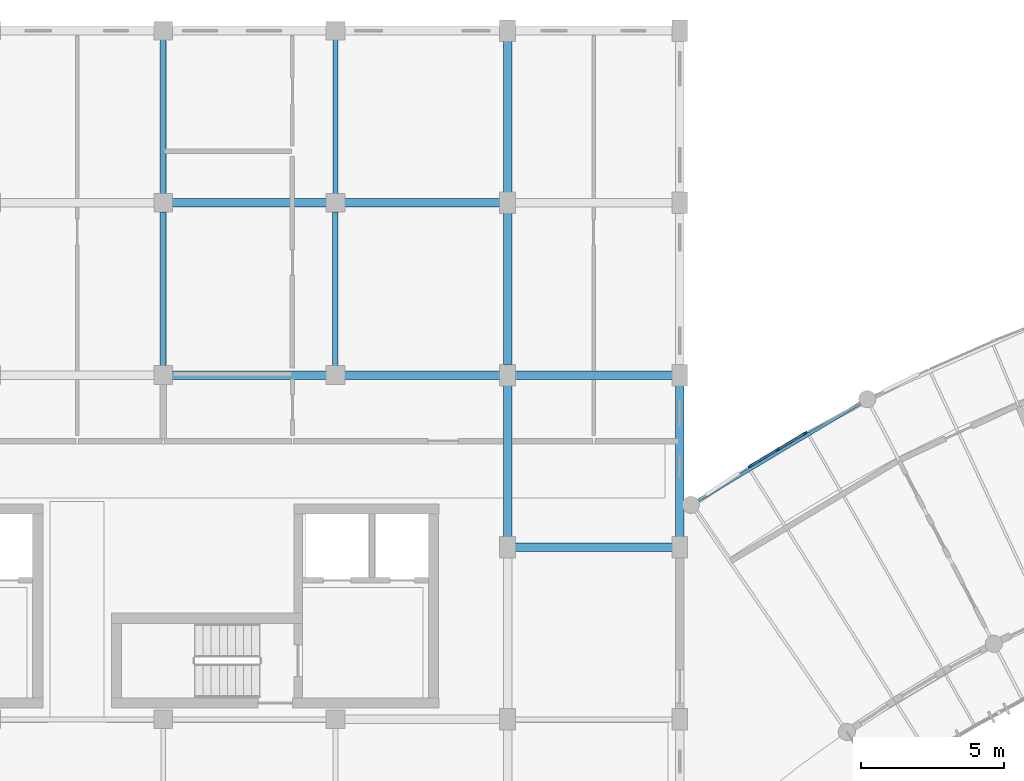
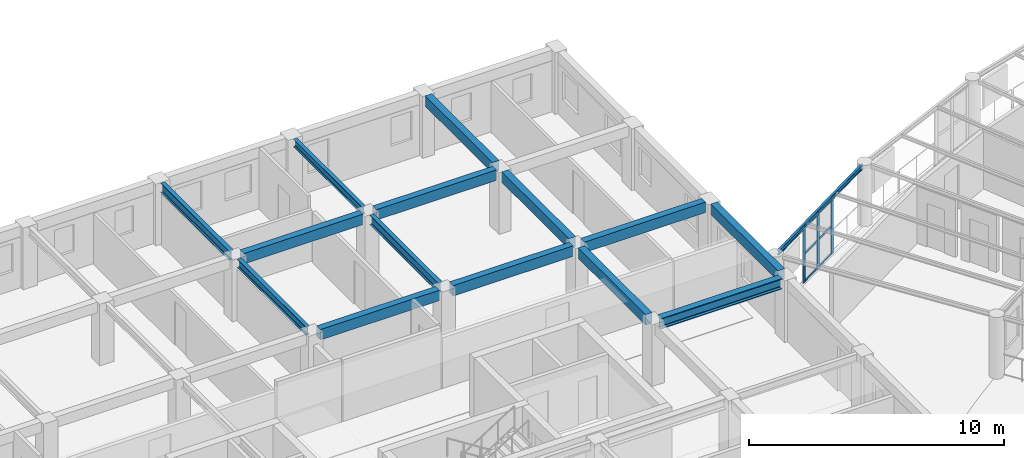
# One storey, part 31 of 100: 15 beams, 9 members, 1 element without a shape of its own.
"""IFC4 building model written with IfcOpenShell, lengths in metres."""

from ifc_helpers import new_model, si_unit, direction, frame, origin, origin_2d, place, context, subcontext, project, spatial, rectangle, i_section, extrude, material, layer, layer_set, material_profile, profile_set, type_object, element, aggregate, save


model = new_model("IFC4")

# Units and contexts
model_context = context("Model", 3, precision=1e-05, world=origin(), true_north=direction((0.0, 1.0)))
body_context = subcontext(model_context, "Body", "Model", "MODEL_VIEW")
ifc_project = project(units=[si_unit("LENGTHUNIT", "METRE"), si_unit("AREAUNIT", "SQUARE_METRE"), si_unit("VOLUMEUNIT", "CUBIC_METRE"), si_unit("PLANEANGLEUNIT", "RADIAN"), si_unit("MASSUNIT", "GRAM", prefix="KILO"), si_unit("POWERUNIT", "WATT"), si_unit("THERMODYNAMICTEMPERATUREUNIT", "KELVIN")], contexts=[model_context])

# Site, building, storey
site_placement = place(None, origin())
site = spatial("IfcSite", under=ifc_project, at=site_placement, CompositionType="ELEMENT")
building_placement = place(site_placement, origin())
building = spatial("IfcBuilding", under=site, at=building_placement, Name="Ruvembo Vaulted Housing Court", CompositionType="ELEMENT")
storey_placement = place(building_placement, frame((0.0, 0.0, 14.10009765625)))
storey = spatial("IfcBuildingStorey", under=building, at=storey_placement, Name="L04", CompositionType="ELEMENT", Elevation=14.10009765625)

# Beams
ifc_material_1 = material(Name="Steel S355J2", Category="steel")
ifc_material_profile_1 = material_profile(ifc_material_1, i_section(OverallWidth=0.300048828125, OverallDepth=0.5, WebThickness=0.014404296875, FlangeThickness=0.028076171875, FilletRadius=0.027099609375, at=origin_2d()), Name="HEB 320")
ifc_profile_set_1 = profile_set([ifc_material_profile_1], Name="Steel S355J2")
beam_type_1 = type_object("IfcBeamType", Name="BM-ST-HEB320", PredefinedType="BEAM", material=ifc_profile_set_1)
beam_1_placement = place(storey_placement, frame((78.260009765625, 96.0, 2.67578125), z_axis=(1.0, 0.0, 0.0), x_axis=(0.0, 1.0, 0.0)))
element("IfcBeam", 1, at=beam_1_placement, inside=storey, type_object=beam_type_1, Name="L04 Grid Beam X #2108", PredefinedType="BEAM", context=body_context, shape_type="SweptSolid", body=[
    extrude(i_section(OverallWidth=0.300048828125, OverallDepth=0.5, WebThickness=0.014404296875, FlangeThickness=0.028076171875, FilletRadius=0.027099609375, at=origin_2d()), origin(), (0.0, 0.0, 1.0), 5.47998046875),
])
ifc_material_profile_2 = material_profile(ifc_material_1, i_section(OverallWidth=0.110107421875, OverallDepth=0.219970703125, WebThickness=0.005859375, FlangeThickness=0.00927734375, FilletRadius=0.011962890625, at=origin_2d()), Name="IPE 220")
ifc_profile_set_2 = profile_set([ifc_material_profile_2], Name="Steel S355J2")
beam_type_2 = type_object("IfcBeamType", Name="BM-ST-IPE220", PredefinedType="SPANDREL", material=ifc_profile_set_2)
beam_2_placement = place(storey_placement, frame((84.54931640625, 97.574951171875, 2.831787109375), z_axis=(0.857886180297, 0.513839762626, 0.0), x_axis=(-0.513839762626, 0.857886180297, 0.0)))
element("IfcBeam", 2, at=beam_2_placement, inside=storey, type_object=beam_type_2, Name="Scoop SC3 L04 Chord Girder B0", PredefinedType="SPANDREL", context=body_context, shape_type="SweptSolid", body=[
    extrude(i_section(OverallWidth=0.110107421875, OverallDepth=0.219970703125, WebThickness=0.005859375, FlangeThickness=0.00927734375, FilletRadius=0.011962890625, at=origin_2d()), origin(), (0.0, 0.0, 1.0), 6.7880859375),
])
ifc_material_profile_3 = material_profile(ifc_material_1, i_section(OverallWidth=0.169921875, OverallDepth=0.360107421875, WebThickness=0.008056640625, FlangeThickness=0.0126953125, FilletRadius=0.01806640625, at=origin_2d()), Name="IPE 360")
ifc_profile_set_3 = profile_set([ifc_material_profile_3], Name="Steel S355J2")
beam_type_3 = type_object("IfcBeamType", Name="BM-ST-IPE360", PredefinedType="BEAM", material=ifc_profile_set_3)
beam_3_placement = place(storey_placement, frame((72.0, 108.31005859375, 2.745849609375), z_axis=(0.0, 1.0, 0.0), x_axis=(-1.0, 0.0, 0.0)))
element("IfcBeam", 3, at=beam_3_placement, inside=storey, type_object=beam_type_3, Name="L04 Grid Beam Y #2202", PredefinedType="BEAM", context=body_context, shape_type="SweptSolid", body=[
    extrude(i_section(OverallWidth=0.169921875, OverallDepth=0.360107421875, WebThickness=0.008056640625, FlangeThickness=0.0126953125, FilletRadius=0.01806640625, at=origin_2d()), origin(), (0.0, 0.0, 1.0), 5.3798828125),
])
ifc_material_profile_4 = material_profile(ifc_material_1, i_section(OverallWidth=0.179931640625, OverallDepth=0.39990234375, WebThickness=0.008544921875, FlangeThickness=0.013427734375, FilletRadius=0.02099609375, at=origin_2d()), Name="IPE 400")
ifc_profile_set_4 = profile_set([ifc_material_profile_4], Name="Steel S355J2")
beam_type_4 = type_object("IfcBeamType", Name="BM-ST-IPE400", PredefinedType="BEAM", material=ifc_profile_set_4)
beam_4_placement = place(storey_placement, frame((66.0, 102.31005859375, 2.725830078125), z_axis=(0.0, 1.0, 0.0), x_axis=(-1.0, 0.0, 0.0)))
element("IfcBeam", 4, at=beam_4_placement, inside=storey, type_object=beam_type_4, Name="L04 Grid Beam Y #2197", PredefinedType="BEAM", context=body_context, shape_type="SweptSolid", body=[
    extrude(i_section(OverallWidth=0.179931640625, OverallDepth=0.39990234375, WebThickness=0.008544921875, FlangeThickness=0.013427734375, FilletRadius=0.02099609375, at=origin_2d()), origin(), (0.0, 0.0, 1.0), 5.3798828125),
])
ifc_material_profile_5 = material_profile(ifc_material_1, i_section(OverallWidth=0.18994140625, OverallDepth=0.449951171875, WebThickness=0.009521484375, FlangeThickness=0.0146484375, FilletRadius=0.02099609375, at=origin_2d()), Name="IPE 450")
ifc_profile_set_5 = profile_set([ifc_material_profile_5], Name="Steel S355J2")
beam_type_5 = type_object("IfcBeamType", Name="BM-ST-IPE450", PredefinedType="BEAM", material=ifc_profile_set_5)
for number, where, z_axis, x_axis, name in (
    (5, (66.0, 108.31005859375, 2.700927734375), (0.0, 1.0, 0.0), (-1.0, 0.0, 0.0), "L04 Grid Beam Y #2198"),
    (6, (72.0, 102.31005859375, 2.700927734375), (0.0, 1.0, 0.0), (-1.0, 0.0, 0.0), "L04 Grid Beam Y #2201"),
):
    element("IfcBeam", number, at=place(storey_placement, frame(where, z_axis=z_axis, x_axis=x_axis)), inside=storey, type_object=beam_type_5, Name=name, PredefinedType="BEAM", context=body_context, shape_type="SweptSolid", body=[
        extrude(i_section(OverallWidth=0.18994140625, OverallDepth=0.449951171875, WebThickness=0.009521484375, FlangeThickness=0.0146484375, FilletRadius=0.02099609375, at=origin_2d()), origin(), (0.0, 0.0, 1.0), 5.3798828125),
    ])

# Curtain wall, members
ifc_material_2 = material(Name="Anodised Aluminium and Solar-Control Glass", Category="aluminium")
ifc_layer = layer(ifc_material_2, 0.1201171875, Name="Anodised Aluminium and Solar-Control Glass")
ifc_layer_set = layer_set([ifc_layer], Name="Anodised Aluminium and Solar-Control Glass")
curtain_wall_type = type_object("IfcCurtainWallType", Name="CW-SCOOP-GAL", PredefinedType="NOTDEFINED", material=ifc_layer_set)
curtain_wall_placement = place(storey_placement, origin())
curtain_wall = element("IfcCurtainWall", 7, at=curtain_wall_placement, inside=storey, type_object=curtain_wall_type, Name="L04 Curtain Wall CW-L04-0077", PredefinedType="NOTDEFINED")
ifc_material_3 = material(Name="Anodised Aluminium 6063-T6", Category="aluminium")
ifc_material_profile_6 = material_profile(ifc_material_3, rectangle(XDim=0.06005859375, YDim=0.159912109375, at=origin_2d()), Name="ALU 60x160")
ifc_profile_set_6 = profile_set([ifc_material_profile_6], Name="Anodised Aluminium 6063-T6")
member_type_1 = type_object("IfcMemberType", Name="CW-MULLION-65x150", PredefinedType="MULLION", material=ifc_profile_set_6)
member_1_placement = place(storey_placement, frame((86.453125, 98.8310546875, 0.0), z_axis=(0.0, 0.0, 1.0), x_axis=(-0.513827980288, 0.85789323734, 0.0)))
member_1 = element("IfcMember", 8, at=member_1_placement, type_object=member_type_1, Name="CW6 mullion 1", PredefinedType="MULLION", context=body_context, shape_type="SweptSolid", body=[
    extrude(rectangle(XDim=0.06005859375, YDim=0.159912109375, at=origin_2d()), origin(), (0.0, 0.0, 1.0), 2.697998046875),
])
member_2_placement = place(storey_placement, frame((87.41015625, 99.404052734375, 0.0), z_axis=(0.0, 0.0, 1.0), x_axis=(-0.513827980288, 0.85789323734, 0.0)))
member_2 = element("IfcMember", 9, at=member_2_placement, type_object=member_type_1, Name="CW6 mullion 2", PredefinedType="MULLION", context=body_context, shape_type="SweptSolid", body=[
    extrude(rectangle(XDim=0.06005859375, YDim=0.159912109375, at=origin_2d()), origin(), (0.0, 0.0, 1.0), 2.697998046875),
])
member_3_placement = place(storey_placement, frame((88.366943359375, 99.977294921875, 0.0), z_axis=(0.0, 0.0, 1.0), x_axis=(-0.513827980288, 0.85789323734, 0.0)))
member_3 = element("IfcMember", 10, at=member_3_placement, type_object=member_type_1, Name="CW6 mullion 3", PredefinedType="MULLION", context=body_context, shape_type="SweptSolid", body=[
    extrude(rectangle(XDim=0.06005859375, YDim=0.159912109375, at=origin_2d()), origin(), (0.0, 0.0, 1.0), 2.697998046875),
])
ifc_material_profile_7 = material_profile(ifc_material_3, rectangle(XDim=0.06005859375, YDim=0.10009765625, at=origin_2d()), Name="ALU 60x100")
ifc_profile_set_7 = profile_set([ifc_material_profile_7], Name="Anodised Aluminium 6063-T6")
member_type_2 = type_object("IfcMemberType", Name="CW-TRN-60x100", PredefinedType="USERDEFINED", material=ifc_profile_set_7)
member_4_placement = place(storey_placement, frame((86.478759765625, 98.846435546875, 0.02978515625), z_axis=(0.857941619392, 0.513747192416, 0.0), x_axis=(-0.513747192416, 0.857941619392, 0.0)))
member_4 = element("IfcMember", 11, at=member_4_placement, type_object=member_type_2, Name="CW6 transom 1.1", ObjectType="TRANSOM", PredefinedType="USERDEFINED", context=body_context, shape_type="SweptSolid", body=[
    extrude(rectangle(XDim=0.06005859375, YDim=0.10009765625, at=origin_2d()), origin(), (0.0, 0.0, 1.0), 1.055419921875),
])
member_5_placement = place(storey_placement, frame((86.478759765625, 98.846435546875, 1.348876953125), z_axis=(0.857941619392, 0.513747192416, 0.0), x_axis=(-0.513747192416, 0.857941619392, 0.0)))
member_5 = element("IfcMember", 12, at=member_5_placement, type_object=member_type_2, Name="CW6 transom 1.2", ObjectType="TRANSOM", PredefinedType="USERDEFINED", context=body_context, shape_type="SweptSolid", body=[
    extrude(rectangle(XDim=0.06005859375, YDim=0.10009765625, at=origin_2d()), origin(), (0.0, 0.0, 1.0), 1.055419921875),
])
member_6_placement = place(storey_placement, frame((86.478759765625, 98.846435546875, 2.66796875), z_axis=(0.857941619392, 0.513747192416, 0.0), x_axis=(-0.513747192416, 0.857941619392, 0.0)))
member_6 = element("IfcMember", 13, at=member_6_placement, type_object=member_type_2, Name="CW6 transom 1.3", ObjectType="TRANSOM", PredefinedType="USERDEFINED", context=body_context, shape_type="SweptSolid", body=[
    extrude(rectangle(XDim=0.06005859375, YDim=0.10009765625, at=origin_2d()), origin(), (0.0, 0.0, 1.0), 1.055419921875),
])
member_7_placement = place(storey_placement, frame((87.435791015625, 99.419677734375, 0.02978515625), z_axis=(0.857941619392, 0.513747192416, 0.0), x_axis=(-0.513747192416, 0.857941619392, 0.0)))
member_7 = element("IfcMember", 14, at=member_7_placement, type_object=member_type_2, Name="CW6 transom 2.1", ObjectType="TRANSOM", PredefinedType="USERDEFINED", context=body_context, shape_type="SweptSolid", body=[
    extrude(rectangle(XDim=0.06005859375, YDim=0.10009765625, at=origin_2d()), origin(), (0.0, 0.0, 1.0), 1.055419921875),
])
member_8_placement = place(storey_placement, frame((87.435791015625, 99.419677734375, 1.348876953125), z_axis=(0.857941619392, 0.513747192416, 0.0), x_axis=(-0.513747192416, 0.857941619392, 0.0)))
member_8 = element("IfcMember", 15, at=member_8_placement, type_object=member_type_2, Name="CW6 transom 2.2", ObjectType="TRANSOM", PredefinedType="USERDEFINED", context=body_context, shape_type="SweptSolid", body=[
    extrude(rectangle(XDim=0.06005859375, YDim=0.10009765625, at=origin_2d()), origin(), (0.0, 0.0, 1.0), 1.055419921875),
])
member_9_placement = place(storey_placement, frame((87.435791015625, 99.419677734375, 2.66796875), z_axis=(0.857941619392, 0.513747192416, 0.0), x_axis=(-0.513747192416, 0.857941619392, 0.0)))
member_9 = element("IfcMember", 16, at=member_9_placement, type_object=member_type_2, Name="CW6 transom 2.3", ObjectType="TRANSOM", PredefinedType="USERDEFINED", context=body_context, shape_type="SweptSolid", body=[
    extrude(rectangle(XDim=0.06005859375, YDim=0.10009765625, at=origin_2d()), origin(), (0.0, 0.0, 1.0), 1.055419921875),
])
aggregate(curtain_wall, [member_1, member_2, member_3, member_4, member_5, member_6, member_7, member_8, member_9])

# Beams
ifc_material_4 = material(Name="Concrete C35/45", Category="concrete")
ifc_material_profile_8 = material_profile(ifc_material_4, rectangle(XDim=0.300048828125, YDim=0.5, at=origin_2d()), Name="RC 300x500")
ifc_profile_set_8 = profile_set([ifc_material_profile_8], Name="Concrete C35/45")
beam_type_6 = type_object("IfcBeamType", Name="SP-RC-300x500", PredefinedType="SPANDREL", material=ifc_profile_set_8)
beam_5_placement = place(storey_placement, frame((66.31005859375, 102.0, 2.699951171875), z_axis=(1.0, 0.0, 0.0), x_axis=(0.0, 1.0, 0.0)))
element("IfcBeam", 17, at=beam_5_placement, inside=storey, type_object=beam_type_6, Name="L04 Grid Beam X #2118", PredefinedType="SPANDREL", context=body_context, shape_type="SweptSolid", body=[
    extrude(rectangle(XDim=0.300048828125, YDim=0.5, at=origin_2d()), origin(), (0.0, 0.0, 1.0), 5.3798828125),
])
beam_6_placement = place(storey_placement, frame((72.31005859375, 102.0, 2.699951171875), z_axis=(1.0, 0.0, 0.0), x_axis=(0.0, 1.0, 0.0)))
element("IfcBeam", 18, at=beam_6_placement, inside=storey, type_object=beam_type_6, Name="L04 Grid Beam X #2119", PredefinedType="SPANDREL", context=body_context, shape_type="SweptSolid", body=[
    extrude(rectangle(XDim=0.300048828125, YDim=0.5, at=origin_2d()), origin(), (0.0, 0.0, 1.0), 5.429931640625),
])
beam_7_placement = place(storey_placement, frame((78.260009765625, 102.0, 2.699951171875), z_axis=(1.0, 0.0, 0.0), x_axis=(0.0, 1.0, 0.0)))
element("IfcBeam", 19, at=beam_7_placement, inside=storey, type_object=beam_type_6, Name="L04 Grid Beam X #2120", PredefinedType="SPANDREL", context=body_context, shape_type="SweptSolid", body=[
    extrude(rectangle(XDim=0.300048828125, YDim=0.5, at=origin_2d()), origin(), (0.0, 0.0, 1.0), 5.47998046875),
])
beam_8_placement = place(storey_placement, frame((66.31005859375, 108.0, 2.699951171875), z_axis=(1.0, 0.0, 0.0), x_axis=(0.0, 1.0, 0.0)))
element("IfcBeam", 20, at=beam_8_placement, inside=storey, type_object=beam_type_6, Name="L04 Grid Beam X #2130", PredefinedType="SPANDREL", context=body_context, shape_type="SweptSolid", body=[
    extrude(rectangle(XDim=0.300048828125, YDim=0.5, at=origin_2d()), origin(), (0.0, 0.0, 1.0), 5.3798828125),
])
beam_9_placement = place(storey_placement, frame((72.31005859375, 108.0, 2.699951171875), z_axis=(1.0, 0.0, 0.0), x_axis=(0.0, 1.0, 0.0)))
element("IfcBeam", 21, at=beam_9_placement, inside=storey, type_object=beam_type_6, Name="L04 Grid Beam X #2131", PredefinedType="SPANDREL", context=body_context, shape_type="SweptSolid", body=[
    extrude(rectangle(XDim=0.300048828125, YDim=0.5, at=origin_2d()), origin(), (0.0, 0.0, 1.0), 5.429931640625),
])
for number, where, z_axis, x_axis, name in (
    (22, (78.0, 96.360107421875, 2.699951171875), (0.0, 1.0, 0.0), (-1.0, 0.0, 0.0), "L04 Grid Beam Y #2206"),
    (23, (78.0, 102.360107421875, 2.699951171875), (0.0, 1.0, 0.0), (-1.0, 0.0, 0.0), "L04 Grid Beam Y #2207"),
    (24, (78.0, 108.360107421875, 2.699951171875), (0.0, 1.0, 0.0), (-1.0, 0.0, 0.0), "L04 Grid Beam Y #2208"),
    (25, (84.0, 96.360107421875, 2.699951171875), (0.0, 1.0, 0.0), (-1.0, 0.0, 0.0), "L04 Grid Beam Y #2212"),
):
    element("IfcBeam", number, at=place(storey_placement, frame(where, z_axis=z_axis, x_axis=x_axis)), inside=storey, type_object=beam_type_6, Name=name, PredefinedType="SPANDREL", context=body_context, shape_type="SweptSolid", body=[
        extrude(rectangle(XDim=0.300048828125, YDim=0.5, at=origin_2d()), origin(), (0.0, 0.0, 1.0), 5.27978515625),
    ])

save(model, "model.ifc")
